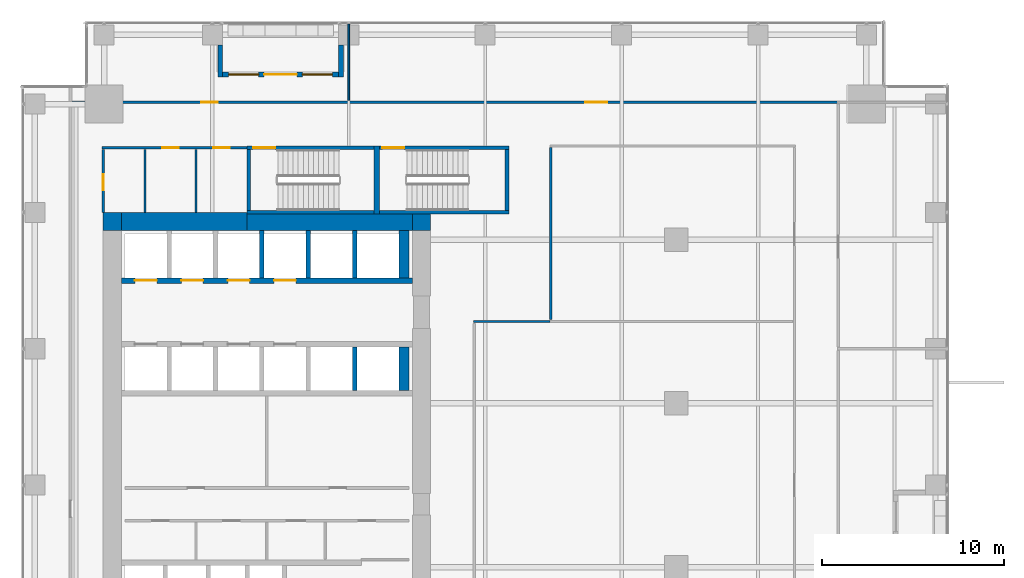
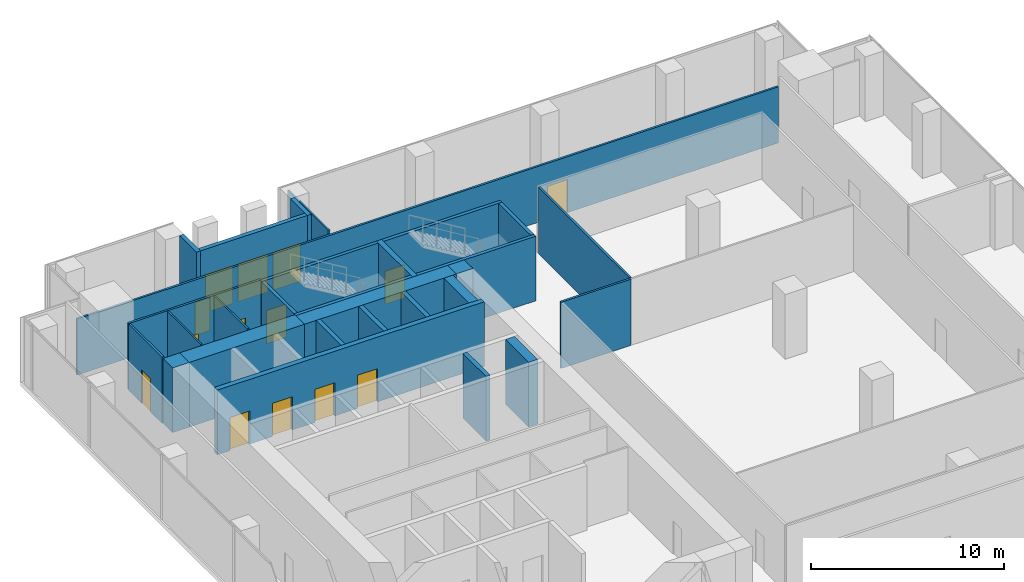
# One storey, part 30 of 34: 29 walls, 12 doors, 2 windows, 14 openings.
"""IFC4 building model written with IfcOpenShell, lengths in metres."""

from ifc_helpers import new_model, si_unit, direction, frame, frame_2d, origin, place, context, subcontext, project, spatial, rectangle, extrude, source, transform, mapped, material, layer, layer_set, type_object, element, fill, save


model = new_model("IFC4")

# Units and contexts
model_context = context("Model", 3, precision=1e-05, world=origin(), true_north=direction((0.0, 1.0)))
body_context = subcontext(model_context, "Body", "Model", "MODEL_VIEW")
ifc_project = project(units=[si_unit("LENGTHUNIT", "METRE"), si_unit("AREAUNIT", "SQUARE_METRE"), si_unit("VOLUMEUNIT", "CUBIC_METRE"), si_unit("PLANEANGLEUNIT", "RADIAN"), si_unit("MASSUNIT", "GRAM", prefix="KILO")], contexts=[model_context])

# Site, building, storey
site_placement = place(None, origin())
site = spatial("IfcSite", under=ifc_project, at=site_placement, CompositionType="ELEMENT")
building_placement = place(site_placement, origin())
building = spatial("IfcBuilding", under=site, at=building_placement, Name="Khomas Fold Tower", CompositionType="ELEMENT")
storey_placement = place(building_placement, frame((0.0, 0.0, 145.5)))
storey = spatial("IfcBuildingStorey", under=building, at=storey_placement, Name="L31", CompositionType="ELEMENT", Elevation=145.5)

# Walls
ifc_material_1 = material(Name="Concrete C70/85", Category="concrete")
ifc_layer_1 = layer(ifc_material_1, 1.0)
ifc_layer_set_1 = layer_set([ifc_layer_1], Name="Concrete C70/85")
wall_type_1 = type_object("IfcWallType", Name="Core wall 1000", PredefinedType="SHEAR", material=ifc_layer_set_1)
shared_shape_1 = source(origin(), body_context, "Body", "SweptSolid", [
    extrude(rectangle(XDim=6.89990234375, YDim=1.0, at=frame_2d((3.449951171875, 0.0))), origin(), (0.0, 0.0, 1.0), 4.10009765625),
])
wall_1_placement = place(storey_placement, frame((7.0, 41.5, 0.0), z_axis=(0.0, 0.0, 1.0), x_axis=(1.0, 0.0, 0.0)))
element("IfcWall", 1, at=wall_1_placement, inside=storey, type_object=wall_type_1, Name="Core wall CW-L-N-L21", PredefinedType="SHEAR", context=body_context, shape_type="MappedRepresentation", body=[
    mapped(shared_shape_1, transform((0.0, 0.0, 0.0))),
])
ifc_material_2 = material(Name="Concrete C70/85", Category="concrete")
ifc_layer_2 = layer(ifc_material_2, 0.89990234375)
ifc_layer_set_2 = layer_set([ifc_layer_2], Name="Concrete C70/85")
wall_type_2 = type_object("IfcWallType", Name="Core wall 900", PredefinedType="SHEAR", material=ifc_layer_set_2)
shared_shape_2 = source(origin(), body_context, "Body", "SweptSolid", [
    extrude(rectangle(XDim=9.10009765625, YDim=0.89990234375, at=frame_2d((4.550048828125, 0.0))), origin(), (0.0, 0.0, 1.0), 4.10009765625),
])
wall_2_placement = place(storey_placement, frame((13.89990234375, 41.449951171875, 0.0), z_axis=(0.0, 0.0, 1.0), x_axis=(1.0, 0.0, 0.0)))
element("IfcWall", 2, at=wall_2_placement, inside=storey, type_object=wall_type_2, Name="Core wall CW-L-N-L21-1", PredefinedType="SHEAR", context=body_context, shape_type="MappedRepresentation", body=[
    mapped(shared_shape_2, transform((0.0, 0.0, 0.0))),
])
ifc_material_3 = material(Name="Concrete C70/85", Category="concrete")
ifc_layer_3 = layer(ifc_material_3, 0.89990234375)
ifc_layer_set_3 = layer_set([ifc_layer_3], Name="Concrete C70/85")
wall_type_3 = type_object("IfcWallType", Name="Core corner wall 900", PredefinedType="SHEAR", material=ifc_layer_set_3)
shared_shape_3 = source(origin(), body_context, "Body", "SweptSolid", [
    extrude(rectangle(XDim=1.0, YDim=0.89990234375, at=frame_2d((0.5, 0.0))), origin(), (0.0, 0.0, 1.0), 4.10009765625),
])
wall_3_placement = place(storey_placement, frame((23.0, 41.449951171875, 0.0), z_axis=(0.0, 0.0, 1.0), x_axis=(1.0, 0.0, 0.0)))
element("IfcWall", 3, at=wall_3_placement, inside=storey, type_object=wall_type_3, Name="Core wall CW-L-NE-L21", PredefinedType="SHEAR", context=body_context, shape_type="MappedRepresentation", body=[
    mapped(shared_shape_3, transform((0.0, 0.0, 0.0))),
])
ifc_material_4 = material(Name="Concrete C70/85", Category="concrete")
ifc_layer_4 = layer(ifc_material_4, 1.0)
ifc_layer_set_4 = layer_set([ifc_layer_4], Name="Concrete C70/85")
wall_type_4 = type_object("IfcWallType", Name="Core corner wall 1000", PredefinedType="SHEAR", material=ifc_layer_set_4)
shared_shape_4 = source(origin(), body_context, "Body", "SweptSolid", [
    extrude(rectangle(XDim=1.0, YDim=1.0, at=frame_2d((0.5, 0.0))), origin(), (0.0, 0.0, 1.0), 4.10009765625),
])
wall_4_placement = place(storey_placement, frame((6.0, 41.5, 0.0), z_axis=(0.0, 0.0, 1.0), x_axis=(1.0, 0.0, 0.0)))
element("IfcWall", 4, at=wall_4_placement, inside=storey, type_object=wall_type_4, Name="Core wall CW-L-NW-L21", PredefinedType="SHEAR", context=body_context, shape_type="MappedRepresentation", body=[
    mapped(shared_shape_4, transform((0.0, 0.0, 0.0))),
])

# Wall, opening, door
ifc_material_5 = material(Name="Concrete C50/60", Category="concrete")
ifc_layer_5 = layer(ifc_material_5, 0.199951171875)
ifc_layer_set_5 = layer_set([ifc_layer_5], Name="Concrete C50/60")
wall_type_5 = type_object("IfcWallType", Name="Stair wall 200", PredefinedType="SHEAR", material=ifc_layer_set_5)
shared_shape_5 = source(origin(), body_context, "Body", "SweptSolid", [
    extrude(rectangle(XDim=7.0, YDim=0.199951171875, at=frame_2d((3.5, 0.0))), origin(), (0.0, 0.0, 1.0), 4.10009765625),
])
wall_5_placement = place(storey_placement, frame((13.89990234375, 45.550048828125, 0.0), z_axis=(0.0, 0.0, 1.0), x_axis=(1.0, 0.0, 0.0)))
wall_5 = element("IfcWall", 5, at=wall_5_placement, inside=storey, type_object=wall_type_5, Name="Stair wall SW-ST1-N", PredefinedType="SHEAR", context=body_context, shape_type="MappedRepresentation", body=[
    mapped(shared_shape_5, transform((0.0, 0.0, 0.0))),
])
shared_shape_6 = source(origin(), body_context, "Body", "SweptSolid", [
    extrude(rectangle(XDim=1.199951171875, YDim=2.10009765625, at=frame_2d((0.60009765625, 1.050048828125))), frame((0.0, 0.10986328125, 0.0), z_axis=(0.0, -1.0, 0.0), x_axis=(1.0, 0.0, 0.0)), (0.0, 0.0, 1.0), 0.219970703125),
])
opening_1_placement = place(wall_5_placement, frame((0.35009765625, 0.0, 0.0)))
opening_1 = element("IfcOpeningElement", 6, at=opening_1_placement, cuts=wall_5, Name="Opening SD-ST1", PredefinedType="OPENING", context=body_context, shape_type="MappedRepresentation", body=[
    mapped(shared_shape_6, transform((0.0, 0.0, 0.0))),
])
ifc_material_6 = material(Name="Steel door leaf", Category="steel")
door_type_1 = type_object("IfcDoorType", Name="Stair door 1200x2100 left-hand", OperationType="SINGLE_SWING_LEFT", PredefinedType="DOOR", material=ifc_material_6)
shared_shape_7 = source(origin(), body_context, "Body", "SweptSolid", [
    extrude(rectangle(XDim=1.199951171875, YDim=2.10009765625, at=frame_2d((0.60009765625, 1.050048828125))), frame((0.0, 0.02490234375, 0.0), z_axis=(0.0, -1.0, 0.0), x_axis=(1.0, 0.0, 0.0)), (0.0, 0.0, 1.0), 0.050048828125),
])
door_1_placement = place(opening_1_placement, origin())
door_1 = element("IfcDoor", 7, at=door_1_placement, inside=storey, type_object=door_type_1, Name="Stair door", OperationType="SINGLE_SWING_LEFT", OverallHeight=2.10009765625, OverallWidth=1.199951171875, PredefinedType="DOOR", context=body_context, shape_type="MappedRepresentation", body=[
    mapped(shared_shape_7, transform((0.0, 0.0, 0.0))),
])
fill(opening_1, door_1)

# Wall
wall_6_placement = place(storey_placement, frame((13.89990234375, 42.0, 0.0), z_axis=(0.0, 0.0, 1.0), x_axis=(1.0, 0.0, 0.0)))
element("IfcWall", 8, at=wall_6_placement, inside=storey, type_object=wall_type_5, Name="Stair wall SW-ST1-S", PredefinedType="SHEAR", context=body_context, shape_type="MappedRepresentation", body=[
    mapped(shared_shape_5, transform((0.0, 0.0, 0.0))),
])

# Wall, opening, door
shared_shape_8 = source(origin(), body_context, "Body", "SweptSolid", [
    extrude(rectangle(XDim=7.10009765625, YDim=0.199951171875, at=frame_2d((3.550048828125, 0.0))), origin(), (0.0, 0.0, 1.0), 4.10009765625),
])
wall_7_placement = place(storey_placement, frame((21.199951171875, 45.550048828125, 0.0), z_axis=(0.0, 0.0, 1.0), x_axis=(1.0, 0.0, 0.0)))
wall_7 = element("IfcWall", 9, at=wall_7_placement, inside=storey, type_object=wall_type_5, Name="Stair wall SW-ST3-N", PredefinedType="SHEAR", context=body_context, shape_type="MappedRepresentation", body=[
    mapped(shared_shape_8, transform((0.0, 0.0, 0.0))),
])
opening_2_placement = place(wall_7_placement, frame((0.14990234375, 0.0, 0.0)))
opening_2 = element("IfcOpeningElement", 10, at=opening_2_placement, cuts=wall_7, Name="Opening SD-ST3", PredefinedType="OPENING", context=body_context, shape_type="MappedRepresentation", body=[
    mapped(shared_shape_6, transform((0.0, 0.0, 0.0))),
])
door_2_placement = place(opening_2_placement, origin())
door_2 = element("IfcDoor", 11, at=door_2_placement, inside=storey, type_object=door_type_1, Name="Stair door", OperationType="SINGLE_SWING_LEFT", OverallHeight=2.10009765625, OverallWidth=1.199951171875, PredefinedType="DOOR", context=body_context, shape_type="MappedRepresentation", body=[
    mapped(shared_shape_7, transform((0.0, 0.0, 0.0))),
])
fill(opening_2, door_2)

# Walls
wall_8_placement = place(storey_placement, frame((21.199951171875, 42.0, 0.0), z_axis=(0.0, 0.0, 1.0), x_axis=(1.0, 0.0, 0.0)))
element("IfcWall", 12, at=wall_8_placement, inside=storey, type_object=wall_type_5, Name="Stair wall SW-ST3-S", PredefinedType="SHEAR", context=body_context, shape_type="MappedRepresentation", body=[
    mapped(shared_shape_8, transform((0.0, 0.0, 0.0))),
])
ifc_material_7 = material(Name="Concrete C50/60", Category="concrete")
ifc_layer_6 = layer(ifc_material_7, 0.300048828125)
ifc_layer_set_6 = layer_set([ifc_layer_6], Name="Concrete C50/60")
wall_type_6 = type_object("IfcWallType", Name="Stair wall 300", PredefinedType="SHEAR", material=ifc_layer_set_6)
shared_shape_9 = source(origin(), body_context, "Body", "SweptSolid", [
    extrude(rectangle(XDim=3.75, YDim=0.300048828125, at=frame_2d((1.875, 0.0))), origin(), (0.0, 0.0, 1.0), 4.10009765625),
])
wall_9_placement = place(storey_placement, frame((21.050048828125, 41.89990234375, 0.0), z_axis=(0.0, 0.0, 1.0), x_axis=(0.0, 1.0, 0.0)))
element("IfcWall", 13, at=wall_9_placement, inside=storey, type_object=wall_type_6, Name="Stair wall SW-ST1-E", PredefinedType="SHEAR", context=body_context, shape_type="MappedRepresentation", body=[
    mapped(shared_shape_9, transform((0.0, 0.0, 0.0))),
])
shared_shape_10 = source(origin(), body_context, "Body", "SweptSolid", [
    extrude(rectangle(XDim=3.349853515625, YDim=0.199951171875, at=frame_2d((1.6748046875, 0.0))), origin(), (0.0, 0.0, 1.0), 4.10009765625),
])
for number, where, z_axis, x_axis, name in (
    (14, (14.0, 42.10009765625, 0.0), (0.0, 0.0, 1.0), (0.0, 1.0, 0.0), "Stair wall SW-ST1-W"),
    (15, (28.199951171875, 42.10009765625, 0.0), (0.0, 0.0, 1.0), (0.0, 1.0, 0.0), "Stair wall SW-ST3-E"),
):
    element("IfcWall", number, at=place(storey_placement, frame(where, z_axis=z_axis, x_axis=x_axis)), inside=storey, type_object=wall_type_5, Name=name, PredefinedType="SHEAR", context=body_context, shape_type="MappedRepresentation", body=[
        mapped(shared_shape_10, transform((0.0, 0.0, 0.0))),
    ])

# Wall, openings, doors
ifc_material_8 = material(Name="Concrete C50/60", Category="concrete")
ifc_layer_7 = layer(ifc_material_8, 0.300048828125)
ifc_layer_set_7 = layer_set([ifc_layer_7], Name="Concrete C50/60")
wall_type_7 = type_object("IfcWallType", Name="Shaft wall 300", PredefinedType="STANDARD", material=ifc_layer_set_7)
shared_shape_11 = source(origin(), body_context, "Body", "SweptSolid", [
    extrude(rectangle(XDim=16.0, YDim=0.300048828125, at=frame_2d((8.0, 0.0))), origin(), (0.0, 0.0, 1.0), 4.10009765625),
])
wall_10_placement = place(storey_placement, frame((7.0, 38.25, 0.0), z_axis=(0.0, 0.0, 1.0), x_axis=(1.0, 0.0, 0.0)))
wall_10 = element("IfcWall", 16, at=wall_10_placement, inside=storey, type_object=wall_type_7, Name="Core wall SW-LRN-F", PredefinedType="STANDARD", context=body_context, shape_type="MappedRepresentation", body=[
    mapped(shared_shape_11, transform((0.0, 0.0, 0.0))),
])
shared_shape_12 = source(origin(), body_context, "Body", "SweptSolid", [
    extrude(rectangle(XDim=1.199951171875, YDim=2.10009765625, at=frame_2d((0.60009765625, 1.050048828125))), frame((0.0, 0.159912109375, 0.0), z_axis=(0.0, -1.0, 0.0), x_axis=(1.0, 0.0, 0.0)), (0.0, 0.0, 1.0), 0.320068359375),
])
opening_3_placement = place(wall_10_placement, frame((0.75, 0.0, 0.0)))
opening_3 = element("IfcOpeningElement", 17, at=opening_3_placement, cuts=wall_10, Name="Opening LD-LR5", PredefinedType="OPENING", context=body_context, shape_type="MappedRepresentation", body=[
    mapped(shared_shape_12, transform((0.0, 0.0, 0.0))),
])
opening_4_placement = place(wall_10_placement, frame((3.300048828125, 0.0, 0.0)))
opening_4 = element("IfcOpeningElement", 18, at=opening_4_placement, cuts=wall_10, Name="Opening LD-LR6", PredefinedType="OPENING", context=body_context, shape_type="MappedRepresentation", body=[
    mapped(shared_shape_12, transform((0.0, 0.0, 0.0))),
])
opening_5_placement = place(wall_10_placement, frame((5.85009765625, 0.0, 0.0)))
opening_5 = element("IfcOpeningElement", 19, at=opening_5_placement, cuts=wall_10, Name="Opening LD-LR7", PredefinedType="OPENING", context=body_context, shape_type="MappedRepresentation", body=[
    mapped(shared_shape_12, transform((0.0, 0.0, 0.0))),
])
opening_6_placement = place(wall_10_placement, frame((8.39990234375, 0.0, 0.0)))
opening_6 = element("IfcOpeningElement", 20, at=opening_6_placement, cuts=wall_10, Name="Opening LD-LR8", PredefinedType="OPENING", context=body_context, shape_type="MappedRepresentation", body=[
    mapped(shared_shape_12, transform((0.0, 0.0, 0.0))),
])
ifc_material_9 = material(Name="Steel door leaf", Category="steel")
door_type_2 = type_object("IfcDoorType", Name="Landing door 1200x2100", OperationType="DOUBLE_DOOR_SLIDING", PredefinedType="DOOR", material=ifc_material_9)
door_3_placement = place(opening_3_placement, origin())
door_3 = element("IfcDoor", 21, at=door_3_placement, inside=storey, type_object=door_type_2, Name="Lift landing door", OperationType="DOUBLE_DOOR_SLIDING", OverallHeight=2.10009765625, OverallWidth=1.199951171875, PredefinedType="DOOR", context=body_context, shape_type="MappedRepresentation", body=[
    mapped(shared_shape_7, transform((0.0, 0.0, 0.0))),
])
fill(opening_3, door_3)
door_4_placement = place(opening_4_placement, origin())
door_4 = element("IfcDoor", 22, at=door_4_placement, inside=storey, type_object=door_type_2, Name="Lift landing door", OperationType="DOUBLE_DOOR_SLIDING", OverallHeight=2.10009765625, OverallWidth=1.199951171875, PredefinedType="DOOR", context=body_context, shape_type="MappedRepresentation", body=[
    mapped(shared_shape_7, transform((0.0, 0.0, 0.0))),
])
fill(opening_4, door_4)
door_5_placement = place(opening_5_placement, origin())
door_5 = element("IfcDoor", 23, at=door_5_placement, inside=storey, type_object=door_type_2, Name="Lift landing door", OperationType="DOUBLE_DOOR_SLIDING", OverallHeight=2.10009765625, OverallWidth=1.199951171875, PredefinedType="DOOR", context=body_context, shape_type="MappedRepresentation", body=[
    mapped(shared_shape_7, transform((0.0, 0.0, 0.0))),
])
fill(opening_5, door_5)
door_6_placement = place(opening_6_placement, origin())
door_6 = element("IfcDoor", 24, at=door_6_placement, inside=storey, type_object=door_type_2, Name="Lift landing door", OperationType="DOUBLE_DOOR_SLIDING", OverallHeight=2.10009765625, OverallWidth=1.199951171875, PredefinedType="DOOR", context=body_context, shape_type="MappedRepresentation", body=[
    mapped(shared_shape_7, transform((0.0, 0.0, 0.0))),
])
fill(opening_6, door_6)

# Walls
ifc_material_10 = material(Name="Concrete C50/60", Category="concrete")
ifc_layer_8 = layer(ifc_material_10, 0.25)
ifc_layer_set_8 = layer_set([ifc_layer_8], Name="Concrete C50/60")
wall_type_8 = type_object("IfcWallType", Name="Shaft wall 250", PredefinedType="STANDARD", material=ifc_layer_set_8)
shared_shape_13 = source(origin(), body_context, "Body", "SweptSolid", [
    extrude(rectangle(XDim=2.60009765625, YDim=0.25, at=frame_2d((1.300048828125, 0.0))), origin(), (0.0, 0.0, 1.0), 4.10009765625),
])
for number, where, z_axis, x_axis, name in (
    (25, (14.72509765625, 38.39990234375, 0.0), (0.0, 0.0, 1.0), (0.0, 1.0, 0.0), "Core wall SW-LRN-P3"),
    (26, (17.27490234375, 38.39990234375, 0.0), (0.0, 0.0, 1.0), (0.0, 1.0, 0.0), "Core wall SW-LRN-P4"),
    (27, (19.824951171875, 38.39990234375, 0.0), (0.0, 0.0, 1.0), (0.0, 1.0, 0.0), "Core wall SW-LRN-P5"),
):
    element("IfcWall", number, at=place(storey_placement, frame(where, z_axis=z_axis, x_axis=x_axis)), inside=storey, type_object=wall_type_8, Name=name, PredefinedType="STANDARD", context=body_context, shape_type="MappedRepresentation", body=[
        mapped(shared_shape_13, transform((0.0, 0.0, 0.0))),
    ])
ifc_material_11 = material(Name="Concrete C50/60", Category="concrete")
ifc_layer_9 = layer(ifc_material_11, 0.550048828125)
ifc_layer_set_9 = layer_set([ifc_layer_9], Name="Concrete C50/60")
wall_type_9 = type_object("IfcWallType", Name="Shaft wall 550", PredefinedType="STANDARD", material=ifc_layer_set_9)
shared_shape_14 = source(origin(), body_context, "Body", "SweptSolid", [
    extrude(rectangle(XDim=2.60009765625, YDim=0.550048828125, at=frame_2d((1.300048828125, 0.0))), origin(), (0.0, 0.0, 1.0), 4.10009765625),
])
wall_11_placement = place(storey_placement, frame((22.52490234375, 38.39990234375, 0.0), z_axis=(0.0, 0.0, 1.0), x_axis=(0.0, 1.0, 0.0)))
element("IfcWall", 28, at=wall_11_placement, inside=storey, type_object=wall_type_9, Name="Core wall SW-LRN-PE", PredefinedType="STANDARD", context=body_context, shape_type="MappedRepresentation", body=[
    mapped(shared_shape_14, transform((0.0, 0.0, 0.0))),
])
shared_shape_15 = source(origin(), body_context, "Body", "SweptSolid", [
    extrude(rectangle(XDim=2.400146484375, YDim=0.25, at=frame_2d((1.2001953125, 0.0))), origin(), (0.0, 0.0, 1.0), 4.10009765625),
])
wall_12_placement = place(storey_placement, frame((19.824951171875, 32.199951171875, 0.0), z_axis=(0.0, 0.0, 1.0), x_axis=(0.0, 1.0, 0.0)))
element("IfcWall", 29, at=wall_12_placement, inside=storey, type_object=wall_type_8, Name="Core wall SW-LRS-P5", PredefinedType="STANDARD", context=body_context, shape_type="MappedRepresentation", body=[
    mapped(shared_shape_15, transform((0.0, 0.0, 0.0))),
])
shared_shape_16 = source(origin(), body_context, "Body", "SweptSolid", [
    extrude(rectangle(XDim=2.400146484375, YDim=0.550048828125, at=frame_2d((1.2001953125, 0.0))), origin(), (0.0, 0.0, 1.0), 4.10009765625),
])
wall_13_placement = place(storey_placement, frame((22.52490234375, 32.199951171875, 0.0), z_axis=(0.0, 0.0, 1.0), x_axis=(0.0, 1.0, 0.0)))
element("IfcWall", 30, at=wall_13_placement, inside=storey, type_object=wall_type_9, Name="Core wall SW-LRS-PE", PredefinedType="STANDARD", context=body_context, shape_type="MappedRepresentation", body=[
    mapped(shared_shape_16, transform((0.0, 0.0, 0.0))),
])

# Wall, openings, door, windows
ifc_material_12 = material(Name="Natural stone", Category="masonry")
ifc_layer_10 = layer(ifc_material_12, 0.0400390625)
ifc_material_13 = material(Name="Mineral wool insulation", Category="insulation")
ifc_layer_11 = layer(ifc_material_13, 0.10009765625)
ifc_material_14 = material(Name="Masonry", Category="masonry")
ifc_layer_12 = layer(ifc_material_14, 0.110107421875)
ifc_layer_set_10 = layer_set([ifc_layer_10, ifc_layer_11, ifc_layer_12], Name="Stone-faced insulated masonry")
wall_type_10 = type_object("IfcWallType", Name="BL-Balcony wall", PredefinedType="SOLIDWALL", material=ifc_layer_set_10)
shared_shape_17 = source(origin(), body_context, "Body", "SweptSolid", [
    extrude(rectangle(XDim=6.39990234375, YDim=0.25, at=frame_2d((3.199951171875, 0.0))), origin(), (0.0, 0.0, 1.0), 4.10009765625),
])
wall_14_placement = place(storey_placement, frame((12.550048828125, 49.574951171875, 0.0), z_axis=(0.0, 0.0, 1.0), x_axis=(1.0, 0.0, 0.0)))
wall_14 = element("IfcWall", 31, at=wall_14_placement, inside=storey, type_object=wall_type_10, Name="Balcony wall BAL-L31-N1", PredefinedType="SOLIDWALL", context=body_context, shape_type="MappedRepresentation", body=[
    mapped(shared_shape_17, transform((0.0, 0.0, 0.0))),
])
shared_shape_18 = source(origin(), body_context, "Body", "SweptSolid", [
    extrude(rectangle(XDim=1.64990234375, YDim=2.39990234375, at=frame_2d((0.824951171875, 1.199951171875))), frame((0.0, 0.135009765625, 0.0), z_axis=(0.0, -1.0, 0.0), x_axis=(1.0, 0.0, 0.0)), (0.0, 0.0, 1.0), 0.27001953125),
])
opening_7_placement = place(wall_14_placement, frame((0.35009765625, 0.0, 0.0)))
opening_7 = element("IfcOpeningElement", 32, at=opening_7_placement, cuts=wall_14, Name="Opening BL-W2", PredefinedType="OPENING", context=body_context, shape_type="MappedRepresentation", body=[
    mapped(shared_shape_18, transform((0.0, 0.0, 0.0))),
])
opening_8_placement = place(wall_14_placement, frame((4.39990234375, 0.0, 0.0)))
opening_8 = element("IfcOpeningElement", 33, at=opening_8_placement, cuts=wall_14, Name="Opening BL-W2", PredefinedType="OPENING", context=body_context, shape_type="MappedRepresentation", body=[
    mapped(shared_shape_18, transform((0.0, 0.0, 0.0))),
])
shared_shape_19 = source(origin(), body_context, "Body", "SweptSolid", [
    extrude(rectangle(XDim=1.800048828125, YDim=2.39990234375, at=frame_2d((0.89990234375, 1.199951171875))), frame((0.0, 0.135009765625, 0.0), z_axis=(0.0, -1.0, 0.0), x_axis=(1.0, 0.0, 0.0)), (0.0, 0.0, 1.0), 0.27001953125),
])
opening_9_placement = place(wall_14_placement, frame((2.300048828125, 0.0, 0.0)))
opening_9 = element("IfcOpeningElement", 34, at=opening_9_placement, cuts=wall_14, Name="Opening BD312", PredefinedType="OPENING", context=body_context, shape_type="MappedRepresentation", body=[
    mapped(shared_shape_19, transform((0.0, 0.0, 0.0))),
])
ifc_material_15 = material(Name="Aluminium framed double glazing", Category="aluminium")
door_type_3 = type_object("IfcDoorType", Name="BL-Glazed balcony door 1800 x 2400", OperationType="DOUBLE_DOOR_DOUBLE_SWING", PredefinedType="DOOR", material=ifc_material_15)
shared_shape_20 = source(origin(), body_context, "Body", "SweptSolid", [
    extrude(rectangle(XDim=1.800048828125, YDim=2.39990234375, at=frame_2d((0.89990234375, 1.199951171875))), frame((0.0, 0.02490234375, 0.0), z_axis=(0.0, -1.0, 0.0), x_axis=(1.0, 0.0, 0.0)), (0.0, 0.0, 1.0), 0.050048828125),
])
door_7_placement = place(opening_9_placement, origin())
door_7 = element("IfcDoor", 35, at=door_7_placement, inside=storey, type_object=door_type_3, Name="Balcony door BD312", OperationType="DOUBLE_DOOR_DOUBLE_SWING", OverallHeight=2.39990234375, OverallWidth=1.800048828125, PredefinedType="DOOR", context=body_context, shape_type="MappedRepresentation", body=[
    mapped(shared_shape_20, transform((0.0, 0.0, 0.0))),
])
fill(opening_9, door_7)
ifc_material_16 = material(Name="Aluminium framed double glazing", Category="aluminium")
window_type = type_object("IfcWindowType", Name="BL-Fixed glazing 1650 x 2400", PartitioningType="SINGLE_PANEL", PredefinedType="WINDOW", material=ifc_material_16)
shared_shape_21 = source(origin(), body_context, "Body", "SweptSolid", [
    extrude(rectangle(XDim=1.64990234375, YDim=2.39990234375, at=frame_2d((0.824951171875, 1.199951171875))), frame((0.0, 0.030029296875, 0.0), z_axis=(0.0, -1.0, 0.0), x_axis=(1.0, 0.0, 0.0)), (0.0, 0.0, 1.0), 0.06005859375),
])
window_1_placement = place(opening_7_placement, origin())
window_1 = element("IfcWindow", 36, at=window_1_placement, inside=storey, type_object=window_type, Name="Balcony glazing BAL-L31-N1-1", OverallHeight=2.39990234375, OverallWidth=1.64990234375, PartitioningType="SINGLE_PANEL", PredefinedType="WINDOW", context=body_context, shape_type="MappedRepresentation", body=[
    mapped(shared_shape_21, transform((0.0, 0.0, 0.0))),
])
fill(opening_7, window_1)
window_2_placement = place(opening_8_placement, origin())
window_2 = element("IfcWindow", 37, at=window_2_placement, inside=storey, type_object=window_type, Name="Balcony glazing BAL-L31-N1-2", OverallHeight=2.39990234375, OverallWidth=1.64990234375, PartitioningType="SINGLE_PANEL", PredefinedType="WINDOW", context=body_context, shape_type="MappedRepresentation", body=[
    mapped(shared_shape_21, transform((0.0, 0.0, 0.0))),
])
fill(opening_8, window_2)

# Walls
shared_shape_22 = source(origin(), body_context, "Body", "SweptSolid", [
    extrude(rectangle(XDim=1.75, YDim=0.25, at=frame_2d((0.875, 0.0))), origin(), (0.0, 0.0, 1.0), 4.10009765625),
])
for number, where, z_axis, x_axis, name in (
    (38, (12.425048828125, 51.199951171875, 0.0), (0.0, 0.0, 1.0), (0.0, -1.0, 0.0), "Balcony return wall BAL-L31-N1-lo"),
    (39, (19.074951171875, 51.199951171875, 0.0), (0.0, 0.0, 1.0), (0.0, -1.0, 0.0), "Balcony return wall BAL-L31-N1-hi"),
):
    element("IfcWall", number, at=place(storey_placement, frame(where, z_axis=z_axis, x_axis=x_axis)), inside=storey, type_object=wall_type_10, Name=name, PredefinedType="SOLIDWALL", context=body_context, shape_type="MappedRepresentation", body=[
        mapped(shared_shape_22, transform((0.0, 0.0, 0.0))),
    ])

# Wall, openings, doors
ifc_material_17 = material(Name="Plasterboard partition")
ifc_layer_13 = layer(ifc_material_17, 0.125)
ifc_layer_set_11 = layer_set([ifc_layer_13], Name="Plasterboard partition")
wall_type_11 = type_object("IfcWallType", Name="Partition PW2 125", PredefinedType="PARTITIONING", material=ifc_layer_set_11)
shared_shape_23 = source(origin(), body_context, "Body", "SweptSolid", [
    extrude(rectangle(XDim=7.949951171875, YDim=0.125, at=frame_2d((3.97509765625, 0.0))), origin(), (0.0, 0.0, 1.0), 4.199951171875),
])
wall_15_placement = place(storey_placement, frame((5.949951171875, 45.550048828125, 0.0), z_axis=(0.0, 0.0, 1.0), x_axis=(1.0, 0.0, 0.0)))
wall_15 = element("IfcWall", 40, at=wall_15_placement, inside=storey, type_object=wall_type_11, Name="Partition", PredefinedType="PARTITIONING", context=body_context, shape_type="MappedRepresentation", body=[
    mapped(shared_shape_23, transform((0.0, 0.0, 0.0))),
])
shared_shape_24 = source(origin(), body_context, "Body", "SweptSolid", [
    extrude(rectangle(XDim=0.89990234375, YDim=2.10009765625, at=frame_2d((0.449951171875, 1.050048828125))), frame((0.0, 0.072509765625, 0.0), z_axis=(0.0, -1.0, 0.0), x_axis=(1.0, 0.0, 0.0)), (0.0, 0.0, 1.0), 0.14501953125),
])
opening_10_placement = place(wall_15_placement, frame((3.300048828125, 0.0, 0.0)))
opening_10 = element("IfcOpeningElement", 41, at=opening_10_placement, cuts=wall_15, Name="Opening 0007", PredefinedType="OPENING", context=body_context, shape_type="MappedRepresentation", body=[
    mapped(shared_shape_24, transform((0.0, 0.0, 0.0))),
])
opening_11_placement = place(wall_15_placement, frame((6.10009765625, 0.0, 0.0)))
opening_11 = element("IfcOpeningElement", 42, at=opening_11_placement, cuts=wall_15, Name="Opening 0008", PredefinedType="OPENING", context=body_context, shape_type="MappedRepresentation", body=[
    mapped(shared_shape_24, transform((0.0, 0.0, 0.0))),
])
ifc_material_18 = material(Name="Timber door leaf", Category="wood")
door_type_4 = type_object("IfcDoorType", Name="Door 900x2100 left-hand", OperationType="SINGLE_SWING_LEFT", PredefinedType="DOOR", material=ifc_material_18)
shared_shape_25 = source(origin(), body_context, "Body", "SweptSolid", [
    extrude(rectangle(XDim=0.89990234375, YDim=2.10009765625, at=frame_2d((0.449951171875, 1.050048828125))), frame((0.0, 0.02490234375, 0.0), z_axis=(0.0, -1.0, 0.0), x_axis=(1.0, 0.0, 0.0)), (0.0, 0.0, 1.0), 0.050048828125),
])
door_8_placement = place(opening_10_placement, origin())
door_8 = element("IfcDoor", 43, at=door_8_placement, inside=storey, type_object=door_type_4, Name="Door", OperationType="SINGLE_SWING_LEFT", OverallHeight=2.10009765625, OverallWidth=0.89990234375, PredefinedType="DOOR", context=body_context, shape_type="MappedRepresentation", body=[
    mapped(shared_shape_25, transform((0.0, 0.0, 0.0))),
])
fill(opening_10, door_8)
ifc_material_19 = material(Name="Timber door leaf", Category="wood")
door_type_5 = type_object("IfcDoorType", Name="Door 900x2100 right-hand", OperationType="SINGLE_SWING_RIGHT", PredefinedType="DOOR", material=ifc_material_19)
door_9_placement = place(opening_11_placement, origin())
door_9 = element("IfcDoor", 44, at=door_9_placement, inside=storey, type_object=door_type_5, Name="Door", OperationType="SINGLE_SWING_RIGHT", OverallHeight=2.10009765625, OverallWidth=0.89990234375, PredefinedType="DOOR", context=body_context, shape_type="MappedRepresentation", body=[
    mapped(shared_shape_25, transform((0.0, 0.0, 0.0))),
])
fill(opening_11, door_9)

# Walls
shared_shape_26 = source(origin(), body_context, "Body", "SweptSolid", [
    extrude(rectangle(XDim=4.199951171875, YDim=0.125, at=frame_2d((2.10009765625, 0.0))), origin(), (0.0, 0.0, 1.0), 4.199951171875),
])
wall_16_placement = place(storey_placement, frame((26.35009765625, 36.0, 0.0), z_axis=(0.0, 0.0, 1.0), x_axis=(1.0, 0.0, 0.0)))
element("IfcWall", 45, at=wall_16_placement, inside=storey, type_object=wall_type_11, Name="Partition", PredefinedType="PARTITIONING", context=body_context, shape_type="MappedRepresentation", body=[
    mapped(shared_shape_26, transform((0.0, 0.0, 0.0))),
])
shared_shape_27 = source(origin(), body_context, "Body", "SweptSolid", [
    extrude(rectangle(XDim=9.449951171875, YDim=0.125, at=frame_2d((4.72509765625, 0.0))), origin(), (0.0, 0.0, 1.0), 4.199951171875),
])
wall_17_placement = place(storey_placement, frame((30.60009765625, 36.10009765625, 0.0), z_axis=(0.0, 0.0, 1.0), x_axis=(0.0, 1.0, 0.0)))
element("IfcWall", 46, at=wall_17_placement, inside=storey, type_object=wall_type_11, Name="Partition", PredefinedType="PARTITIONING", context=body_context, shape_type="MappedRepresentation", body=[
    mapped(shared_shape_27, transform((0.0, 0.0, 0.0))),
])

# Wall, opening, door
shared_shape_28 = source(origin(), body_context, "Body", "SweptSolid", [
    extrude(rectangle(XDim=3.449951171875, YDim=0.125, at=frame_2d((1.72509765625, 0.0))), origin(), (0.0, 0.0, 1.0), 4.199951171875),
])
wall_18_placement = place(storey_placement, frame((6.0, 42.0, 0.0), z_axis=(0.0, 0.0, 1.0), x_axis=(0.0, 1.0, 0.0)))
wall_18 = element("IfcWall", 47, at=wall_18_placement, inside=storey, type_object=wall_type_11, Name="Partition", PredefinedType="PARTITIONING", context=body_context, shape_type="MappedRepresentation", body=[
    mapped(shared_shape_28, transform((0.0, 0.0, 0.0))),
])
opening_12_placement = place(wall_18_placement, frame((1.199951171875, 0.0, 0.0)))
opening_12 = element("IfcOpeningElement", 48, at=opening_12_placement, cuts=wall_18, Name="Opening 0007", PredefinedType="OPENING", context=body_context, shape_type="MappedRepresentation", body=[
    mapped(shared_shape_24, transform((0.0, 0.0, 0.0))),
])
door_10_placement = place(opening_12_placement, origin())
door_10 = element("IfcDoor", 49, at=door_10_placement, inside=storey, type_object=door_type_4, Name="Door", OperationType="SINGLE_SWING_LEFT", OverallHeight=2.10009765625, OverallWidth=0.89990234375, PredefinedType="DOOR", context=body_context, shape_type="MappedRepresentation", body=[
    mapped(shared_shape_25, transform((0.0, 0.0, 0.0))),
])
fill(opening_12, door_10)

# Walls
ifc_material_20 = material(Name="Plasterboard partition")
ifc_layer_14 = layer(ifc_material_20, 0.10009765625)
ifc_layer_set_12 = layer_set([ifc_layer_14], Name="Plasterboard partition")
wall_type_12 = type_object("IfcWallType", Name="Partition PW1 100", PredefinedType="PARTITIONING", material=ifc_layer_set_12)
shared_shape_29 = source(origin(), body_context, "Body", "SweptSolid", [
    extrude(rectangle(XDim=3.449951171875, YDim=0.10009765625, at=frame_2d((1.72509765625, 0.0))), origin(), (0.0, 0.0, 1.0), 4.199951171875),
])
for number, where, z_axis, x_axis, name in (
    (50, (8.300048828125, 42.0, 0.0), (0.0, 0.0, 1.0), (0.0, 1.0, 0.0), "Partition"),
    (51, (11.10009765625, 42.0, 0.0), (0.0, 0.0, 1.0), (0.0, 1.0, 0.0), "Partition"),
):
    element("IfcWall", number, at=place(storey_placement, frame(where, z_axis=z_axis, x_axis=x_axis)), inside=storey, type_object=wall_type_12, Name=name, PredefinedType="PARTITIONING", context=body_context, shape_type="MappedRepresentation", body=[
        mapped(shared_shape_29, transform((0.0, 0.0, 0.0))),
    ])
shared_shape_30 = source(origin(), body_context, "Body", "SweptSolid", [
    extrude(rectangle(XDim=4.2001953125, YDim=0.10009765625, at=frame_2d((2.10009765625, 0.0))), origin(), (0.0, 0.0, 1.0), 3.77001953125),
])
wall_19_placement = place(storey_placement, frame((19.5, 48.14990234375, 0.0), z_axis=(0.0, 0.0, 1.0), x_axis=(0.0, 1.0, 0.0)))
element("IfcWall", 52, at=wall_19_placement, inside=storey, type_object=wall_type_12, Name="Partition", PredefinedType="PARTITIONING", context=body_context, shape_type="MappedRepresentation", body=[
    mapped(shared_shape_30, transform((0.0, 0.0, 0.0))),
])

# Wall, openings, doors
shared_shape_31 = source(origin(), body_context, "Body", "SweptSolid", [
    extrude(rectangle(XDim=42.050048828125, YDim=0.125, at=frame_2d((21.02490234375, 0.0))), origin(), (0.0, 0.0, 1.0), 3.550048828125),
])
wall_20_placement = place(storey_placement, frame((4.300048828125, 48.050048828125, 0.0), z_axis=(0.0, 0.0, 1.0), x_axis=(1.0, 0.0, 0.0)))
wall_20 = element("IfcWall", 53, at=wall_20_placement, inside=storey, type_object=wall_type_11, Name="Partition", PredefinedType="PARTITIONING", context=body_context, shape_type="MappedRepresentation", body=[
    mapped(shared_shape_31, transform((0.0, 0.0, 0.0))),
])
opening_13_placement = place(wall_20_placement, frame((7.10009765625, 0.0, 0.0)))
opening_13 = element("IfcOpeningElement", 54, at=opening_13_placement, cuts=wall_20, Name="Opening 0008", PredefinedType="OPENING", context=body_context, shape_type="MappedRepresentation", body=[
    mapped(shared_shape_24, transform((0.0, 0.0, 0.0))),
])
shared_shape_32 = source(origin(), body_context, "Body", "SweptSolid", [
    extrude(rectangle(XDim=1.199951171875, YDim=2.10009765625, at=frame_2d((0.60009765625, 1.050048828125))), frame((0.0, 0.072509765625, 0.0), z_axis=(0.0, -1.0, 0.0), x_axis=(1.0, 0.0, 0.0)), (0.0, 0.0, 1.0), 0.14501953125),
])
opening_14_placement = place(wall_20_placement, frame((28.199951171875, 0.0, 0.0)))
opening_14 = element("IfcOpeningElement", 55, at=opening_14_placement, cuts=wall_20, Name="Opening 0013", PredefinedType="OPENING", context=body_context, shape_type="MappedRepresentation", body=[
    mapped(shared_shape_32, transform((0.0, 0.0, 0.0))),
])
door_11_placement = place(opening_13_placement, origin())
door_11 = element("IfcDoor", 56, at=door_11_placement, inside=storey, type_object=door_type_5, Name="Door", OperationType="SINGLE_SWING_RIGHT", OverallHeight=2.10009765625, OverallWidth=0.89990234375, PredefinedType="DOOR", context=body_context, shape_type="MappedRepresentation", body=[
    mapped(shared_shape_25, transform((0.0, 0.0, 0.0))),
])
fill(opening_13, door_11)
ifc_material_21 = material(Name="Timber door leaf", Category="wood")
door_type_6 = type_object("IfcDoorType", Name="Door 1200x2100 left-hand", OperationType="SINGLE_SWING_LEFT", PredefinedType="DOOR", material=ifc_material_21)
door_12_placement = place(opening_14_placement, origin())
door_12 = element("IfcDoor", 57, at=door_12_placement, inside=storey, type_object=door_type_6, Name="Door", OperationType="SINGLE_SWING_LEFT", OverallHeight=2.10009765625, OverallWidth=1.199951171875, PredefinedType="DOOR", context=body_context, shape_type="MappedRepresentation", body=[
    mapped(shared_shape_7, transform((0.0, 0.0, 0.0))),
])
fill(opening_14, door_12)

save(model, "model.ifc")
